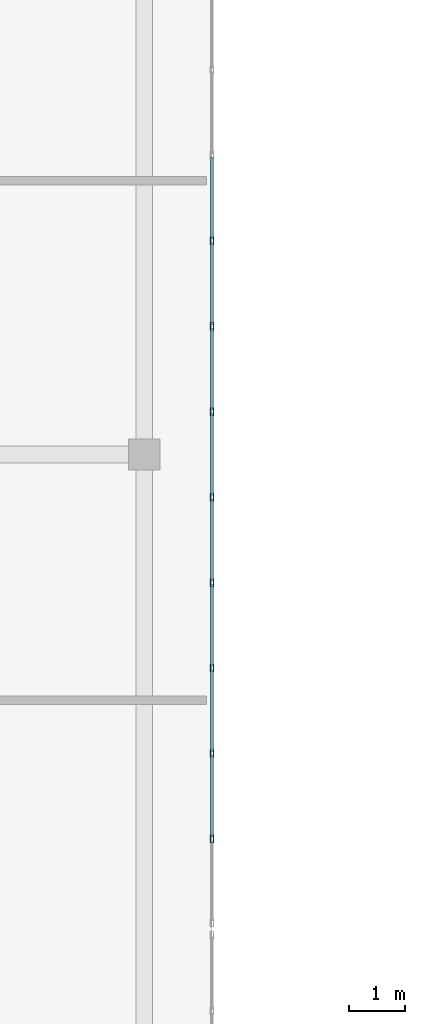
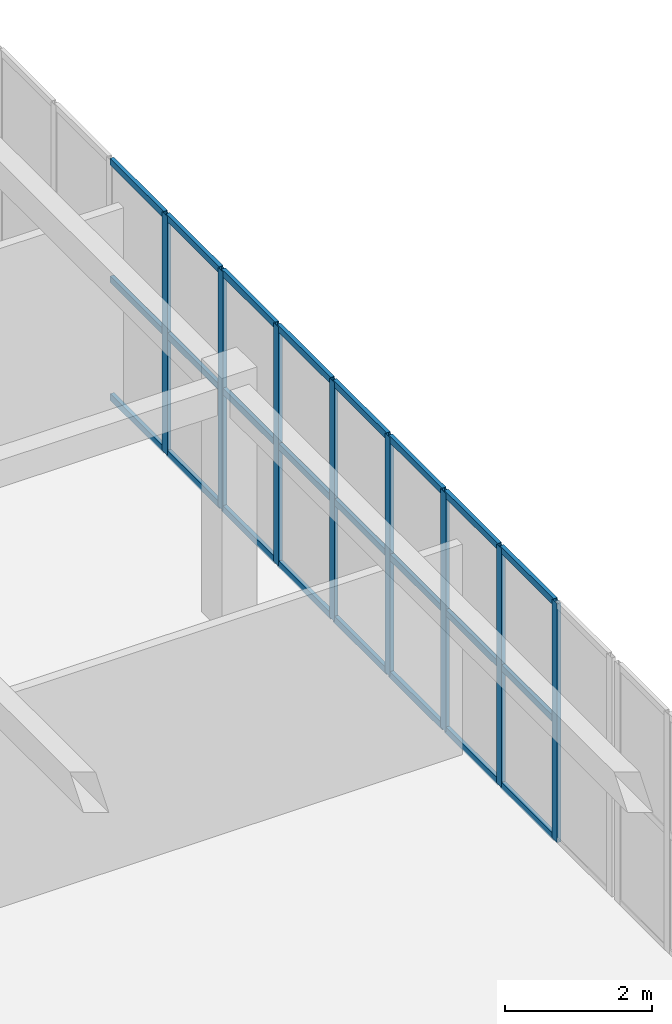
# One storey, part 46 of 140: 32 members, 1 element without a shape of its own.
"""IFC4 building model written with IfcOpenShell, lengths in metres."""

from ifc_helpers import new_model, si_unit, direction, frame, origin, origin_2d, place, context, subcontext, project, spatial, hollow_rectangle, extrude, material, layer, layer_set, material_profile, profile_set, type_object, element, aggregate, save


model = new_model("IFC4")

# Units and contexts
model_context = context("Model", 3, precision=1e-05, world=origin(), true_north=direction((0.0, 1.0)))
body_context = subcontext(model_context, "Body", "Model", "MODEL_VIEW")
ifc_project = project(units=[si_unit("LENGTHUNIT", "METRE"), si_unit("AREAUNIT", "SQUARE_METRE"), si_unit("VOLUMEUNIT", "CUBIC_METRE"), si_unit("PLANEANGLEUNIT", "RADIAN"), si_unit("MASSUNIT", "GRAM", prefix="KILO")], contexts=[model_context])

# Site, building, storey
site_placement = place(None, origin())
site = spatial("IfcSite", under=ifc_project, at=site_placement, CompositionType="ELEMENT")
building_placement = place(site_placement, origin())
building = spatial("IfcBuilding", under=site, at=building_placement, Name="Trelvath General Hospital", CompositionType="ELEMENT")
storey_placement = place(building_placement, frame((0.0, 0.0, 16.199951171875)))
storey = spatial("IfcBuildingStorey", under=building, at=storey_placement, Name="L04", CompositionType="ELEMENT", Elevation=16.199951171875)

# Curtain wall, members
ifc_material_1 = material(Name="Anodised aluminium and low-E glass", Category="aluminium")
ifc_layer = layer(ifc_material_1, 0.139892578125)
ifc_layer_set = layer_set([ifc_layer], Name="Anodised aluminium and low-E glass")
curtain_wall_type = type_object("IfcCurtainWallType", Name="CW CrystalCube 1664 396 14", PredefinedType="USERDEFINED", material=ifc_layer_set)
curtain_wall_placement = place(storey_placement, origin())
curtain_wall = element("IfcCurtainWall", 1, at=curtain_wall_placement, inside=storey, type_object=curtain_wall_type, Name="Crystal Cube Curtain Wall CUBE-E-T1 E3 L04", ObjectType="Unitised Glazed Curtain Wall", PredefinedType="USERDEFINED")
ifc_material_2 = material(Name="Anodised aluminium", Category="aluminium")
ifc_material_profile_1 = material_profile(ifc_material_2, hollow_rectangle(XDim=0.06005859375, YDim=0.139892578125, WallThickness=0.00390625, at=origin_2d()), Name="RHS60x140x4")
ifc_profile_set_1 = profile_set([ifc_material_profile_1], Name="Anodised aluminium")
member_type_1 = type_object("IfcMemberType", Name="CurtainMullion 60x140", PredefinedType="MULLION", material=ifc_profile_set_1)
member_1_placement = place(storey_placement, frame((114.800048828125, 62.581787109375, 0.0), z_axis=(0.0, 0.0, 1.0), x_axis=(1.0, 0.0, 0.0)))
member_1 = element("IfcMember", 2, at=member_1_placement, type_object=member_type_1, Name="CW-291 mullion 4", PredefinedType="MULLION", context=body_context, shape_type="SweptSolid", body=[
    extrude(hollow_rectangle(XDim=0.06005859375, YDim=0.139892578125, WallThickness=0.00390625, at=origin_2d()), origin(), (0.0, 0.0, 1.0), 3.9599609375),
])
member_2_placement = place(storey_placement, frame((114.800048828125, 61.069091796875, 0.0), z_axis=(0.0, 0.0, 1.0), x_axis=(1.0, 0.0, 0.0)))
member_2 = element("IfcMember", 3, at=member_2_placement, type_object=member_type_1, Name="CW-291 mullion 5", PredefinedType="MULLION", context=body_context, shape_type="SweptSolid", body=[
    extrude(hollow_rectangle(XDim=0.06005859375, YDim=0.139892578125, WallThickness=0.00390625, at=origin_2d()), origin(), (0.0, 0.0, 1.0), 3.9599609375),
])
member_3_placement = place(storey_placement, frame((114.800048828125, 59.556396484375, 0.0), z_axis=(0.0, 0.0, 1.0), x_axis=(1.0, 0.0, 0.0)))
member_3 = element("IfcMember", 4, at=member_3_placement, type_object=member_type_1, Name="CW-291 mullion 6", PredefinedType="MULLION", context=body_context, shape_type="SweptSolid", body=[
    extrude(hollow_rectangle(XDim=0.06005859375, YDim=0.139892578125, WallThickness=0.00390625, at=origin_2d()), origin(), (0.0, 0.0, 1.0), 3.9599609375),
])
member_4_placement = place(storey_placement, frame((114.800048828125, 58.043701171875, 0.0), z_axis=(0.0, 0.0, 1.0), x_axis=(1.0, 0.0, 0.0)))
member_4 = element("IfcMember", 5, at=member_4_placement, type_object=member_type_1, Name="CW-291 mullion 7", PredefinedType="MULLION", context=body_context, shape_type="SweptSolid", body=[
    extrude(hollow_rectangle(XDim=0.06005859375, YDim=0.139892578125, WallThickness=0.00390625, at=origin_2d()), origin(), (0.0, 0.0, 1.0), 3.9599609375),
])
member_5_placement = place(storey_placement, frame((114.800048828125, 56.531005859375, 0.0), z_axis=(0.0, 0.0, 1.0), x_axis=(1.0, 0.0, 0.0)))
member_5 = element("IfcMember", 6, at=member_5_placement, type_object=member_type_1, Name="CW-291 mullion 8", PredefinedType="MULLION", context=body_context, shape_type="SweptSolid", body=[
    extrude(hollow_rectangle(XDim=0.06005859375, YDim=0.139892578125, WallThickness=0.00390625, at=origin_2d()), origin(), (0.0, 0.0, 1.0), 3.9599609375),
])
member_6_placement = place(storey_placement, frame((114.800048828125, 55.01806640625, 0.0), z_axis=(0.0, 0.0, 1.0), x_axis=(1.0, 0.0, 0.0)))
member_6 = element("IfcMember", 7, at=member_6_placement, type_object=member_type_1, Name="CW-291 mullion 9", PredefinedType="MULLION", context=body_context, shape_type="SweptSolid", body=[
    extrude(hollow_rectangle(XDim=0.06005859375, YDim=0.139892578125, WallThickness=0.00390625, at=origin_2d()), origin(), (0.0, 0.0, 1.0), 3.9599609375),
])
member_7_placement = place(storey_placement, frame((114.800048828125, 53.50537109375, 0.0), z_axis=(0.0, 0.0, 1.0), x_axis=(1.0, 0.0, 0.0)))
member_7 = element("IfcMember", 8, at=member_7_placement, type_object=member_type_1, Name="CW-291 mullion 10", PredefinedType="MULLION", context=body_context, shape_type="SweptSolid", body=[
    extrude(hollow_rectangle(XDim=0.06005859375, YDim=0.139892578125, WallThickness=0.00390625, at=origin_2d()), origin(), (0.0, 0.0, 1.0), 3.9599609375),
])
member_8_placement = place(storey_placement, frame((114.800048828125, 51.99267578125, 0.0), z_axis=(0.0, 0.0, 1.0), x_axis=(1.0, 0.0, 0.0)))
member_8 = element("IfcMember", 9, at=member_8_placement, type_object=member_type_1, Name="CW-291 mullion 11", PredefinedType="MULLION", context=body_context, shape_type="SweptSolid", body=[
    extrude(hollow_rectangle(XDim=0.06005859375, YDim=0.139892578125, WallThickness=0.00390625, at=origin_2d()), origin(), (0.0, 0.0, 1.0), 3.9599609375),
])
ifc_material_3 = material(Name="Anodised aluminium", Category="aluminium")
ifc_material_profile_2 = material_profile(ifc_material_3, hollow_rectangle(XDim=0.06005859375, YDim=0.110107421875, WallThickness=0.00390625, at=origin_2d()), Name="RHS60x110x4")
ifc_profile_set_2 = profile_set([ifc_material_profile_2], Name="Anodised aluminium")
member_type_2 = type_object("IfcMemberType", Name="CurtainTransom 60x110", PredefinedType="USERDEFINED", material=ifc_profile_set_2)
member_9_placement = place(storey_placement, frame((114.800048828125, 64.064453125, 0.030029296875), z_axis=(0.0, -1.0, 0.0), x_axis=(1.0, 0.0, 0.0)))
member_9 = element("IfcMember", 10, at=member_9_placement, type_object=member_type_2, Name="CW-291 transom 3.1", ObjectType="TRANSOM", PredefinedType="USERDEFINED", context=body_context, shape_type="SweptSolid", body=[
    extrude(hollow_rectangle(XDim=0.06005859375, YDim=0.110107421875, WallThickness=0.00390625, at=origin_2d()), origin(), (0.0, 0.0, 1.0), 1.45263671875),
])
member_10_placement = place(storey_placement, frame((114.800048828125, 64.064453125, 1.97998046875), z_axis=(0.0, -1.0, 0.0), x_axis=(1.0, 0.0, 0.0)))
member_10 = element("IfcMember", 11, at=member_10_placement, type_object=member_type_2, Name="CW-291 transom 3.2", ObjectType="TRANSOM", PredefinedType="USERDEFINED", context=body_context, shape_type="SweptSolid", body=[
    extrude(hollow_rectangle(XDim=0.06005859375, YDim=0.110107421875, WallThickness=0.00390625, at=origin_2d()), origin(), (0.0, 0.0, 1.0), 1.45263671875),
])
member_11_placement = place(storey_placement, frame((114.800048828125, 64.064453125, 3.929931640625), z_axis=(0.0, -1.0, 0.0), x_axis=(1.0, 0.0, 0.0)))
member_11 = element("IfcMember", 12, at=member_11_placement, type_object=member_type_2, Name="CW-291 transom 3.3", ObjectType="TRANSOM", PredefinedType="USERDEFINED", context=body_context, shape_type="SweptSolid", body=[
    extrude(hollow_rectangle(XDim=0.06005859375, YDim=0.110107421875, WallThickness=0.00390625, at=origin_2d()), origin(), (0.0, 0.0, 1.0), 1.45263671875),
])
member_12_placement = place(storey_placement, frame((114.800048828125, 62.5517578125, 0.030029296875), z_axis=(0.0, -1.0, 0.0), x_axis=(1.0, 0.0, 0.0)))
member_12 = element("IfcMember", 13, at=member_12_placement, type_object=member_type_2, Name="CW-291 transom 4.1", ObjectType="TRANSOM", PredefinedType="USERDEFINED", context=body_context, shape_type="SweptSolid", body=[
    extrude(hollow_rectangle(XDim=0.06005859375, YDim=0.110107421875, WallThickness=0.00390625, at=origin_2d()), origin(), (0.0, 0.0, 1.0), 1.45263671875),
])
member_13_placement = place(storey_placement, frame((114.800048828125, 62.5517578125, 1.97998046875), z_axis=(0.0, -1.0, 0.0), x_axis=(1.0, 0.0, 0.0)))
member_13 = element("IfcMember", 14, at=member_13_placement, type_object=member_type_2, Name="CW-291 transom 4.2", ObjectType="TRANSOM", PredefinedType="USERDEFINED", context=body_context, shape_type="SweptSolid", body=[
    extrude(hollow_rectangle(XDim=0.06005859375, YDim=0.110107421875, WallThickness=0.00390625, at=origin_2d()), origin(), (0.0, 0.0, 1.0), 1.45263671875),
])
member_14_placement = place(storey_placement, frame((114.800048828125, 62.5517578125, 3.929931640625), z_axis=(0.0, -1.0, 0.0), x_axis=(1.0, 0.0, 0.0)))
member_14 = element("IfcMember", 15, at=member_14_placement, type_object=member_type_2, Name="CW-291 transom 4.3", ObjectType="TRANSOM", PredefinedType="USERDEFINED", context=body_context, shape_type="SweptSolid", body=[
    extrude(hollow_rectangle(XDim=0.06005859375, YDim=0.110107421875, WallThickness=0.00390625, at=origin_2d()), origin(), (0.0, 0.0, 1.0), 1.45263671875),
])
member_15_placement = place(storey_placement, frame((114.800048828125, 61.0390625, 0.030029296875), z_axis=(0.0, -1.0, 0.0), x_axis=(1.0, 0.0, 0.0)))
member_15 = element("IfcMember", 16, at=member_15_placement, type_object=member_type_2, Name="CW-291 transom 5.1", ObjectType="TRANSOM", PredefinedType="USERDEFINED", context=body_context, shape_type="SweptSolid", body=[
    extrude(hollow_rectangle(XDim=0.06005859375, YDim=0.110107421875, WallThickness=0.00390625, at=origin_2d()), origin(), (0.0, 0.0, 1.0), 1.45263671875),
])
member_16_placement = place(storey_placement, frame((114.800048828125, 61.0390625, 1.97998046875), z_axis=(0.0, -1.0, 0.0), x_axis=(1.0, 0.0, 0.0)))
member_16 = element("IfcMember", 17, at=member_16_placement, type_object=member_type_2, Name="CW-291 transom 5.2", ObjectType="TRANSOM", PredefinedType="USERDEFINED", context=body_context, shape_type="SweptSolid", body=[
    extrude(hollow_rectangle(XDim=0.06005859375, YDim=0.110107421875, WallThickness=0.00390625, at=origin_2d()), origin(), (0.0, 0.0, 1.0), 1.45263671875),
])
member_17_placement = place(storey_placement, frame((114.800048828125, 61.0390625, 3.929931640625), z_axis=(0.0, -1.0, 0.0), x_axis=(1.0, 0.0, 0.0)))
member_17 = element("IfcMember", 18, at=member_17_placement, type_object=member_type_2, Name="CW-291 transom 5.3", ObjectType="TRANSOM", PredefinedType="USERDEFINED", context=body_context, shape_type="SweptSolid", body=[
    extrude(hollow_rectangle(XDim=0.06005859375, YDim=0.110107421875, WallThickness=0.00390625, at=origin_2d()), origin(), (0.0, 0.0, 1.0), 1.45263671875),
])
member_18_placement = place(storey_placement, frame((114.800048828125, 59.5263671875, 0.030029296875), z_axis=(0.0, -1.0, 0.0), x_axis=(1.0, 0.0, 0.0)))
member_18 = element("IfcMember", 19, at=member_18_placement, type_object=member_type_2, Name="CW-291 transom 6.1", ObjectType="TRANSOM", PredefinedType="USERDEFINED", context=body_context, shape_type="SweptSolid", body=[
    extrude(hollow_rectangle(XDim=0.06005859375, YDim=0.110107421875, WallThickness=0.00390625, at=origin_2d()), origin(), (0.0, 0.0, 1.0), 1.45263671875),
])
member_19_placement = place(storey_placement, frame((114.800048828125, 59.5263671875, 1.97998046875), z_axis=(0.0, -1.0, 0.0), x_axis=(1.0, 0.0, 0.0)))
member_19 = element("IfcMember", 20, at=member_19_placement, type_object=member_type_2, Name="CW-291 transom 6.2", ObjectType="TRANSOM", PredefinedType="USERDEFINED", context=body_context, shape_type="SweptSolid", body=[
    extrude(hollow_rectangle(XDim=0.06005859375, YDim=0.110107421875, WallThickness=0.00390625, at=origin_2d()), origin(), (0.0, 0.0, 1.0), 1.45263671875),
])
member_20_placement = place(storey_placement, frame((114.800048828125, 59.5263671875, 3.929931640625), z_axis=(0.0, -1.0, 0.0), x_axis=(1.0, 0.0, 0.0)))
member_20 = element("IfcMember", 21, at=member_20_placement, type_object=member_type_2, Name="CW-291 transom 6.3", ObjectType="TRANSOM", PredefinedType="USERDEFINED", context=body_context, shape_type="SweptSolid", body=[
    extrude(hollow_rectangle(XDim=0.06005859375, YDim=0.110107421875, WallThickness=0.00390625, at=origin_2d()), origin(), (0.0, 0.0, 1.0), 1.45263671875),
])
member_21_placement = place(storey_placement, frame((114.800048828125, 58.013671875, 0.030029296875), z_axis=(0.0, -1.0, 0.0), x_axis=(1.0, 0.0, 0.0)))
member_21 = element("IfcMember", 22, at=member_21_placement, type_object=member_type_2, Name="CW-291 transom 7.1", ObjectType="TRANSOM", PredefinedType="USERDEFINED", context=body_context, shape_type="SweptSolid", body=[
    extrude(hollow_rectangle(XDim=0.06005859375, YDim=0.110107421875, WallThickness=0.00390625, at=origin_2d()), origin(), (0.0, 0.0, 1.0), 1.452880859375),
])
member_22_placement = place(storey_placement, frame((114.800048828125, 58.013671875, 1.97998046875), z_axis=(0.0, -1.0, 0.0), x_axis=(1.0, 0.0, 0.0)))
member_22 = element("IfcMember", 23, at=member_22_placement, type_object=member_type_2, Name="CW-291 transom 7.2", ObjectType="TRANSOM", PredefinedType="USERDEFINED", context=body_context, shape_type="SweptSolid", body=[
    extrude(hollow_rectangle(XDim=0.06005859375, YDim=0.110107421875, WallThickness=0.00390625, at=origin_2d()), origin(), (0.0, 0.0, 1.0), 1.452880859375),
])
member_23_placement = place(storey_placement, frame((114.800048828125, 58.013671875, 3.929931640625), z_axis=(0.0, -1.0, 0.0), x_axis=(1.0, 0.0, 0.0)))
member_23 = element("IfcMember", 24, at=member_23_placement, type_object=member_type_2, Name="CW-291 transom 7.3", ObjectType="TRANSOM", PredefinedType="USERDEFINED", context=body_context, shape_type="SweptSolid", body=[
    extrude(hollow_rectangle(XDim=0.06005859375, YDim=0.110107421875, WallThickness=0.00390625, at=origin_2d()), origin(), (0.0, 0.0, 1.0), 1.452880859375),
])
member_24_placement = place(storey_placement, frame((114.800048828125, 56.5009765625, 0.030029296875), z_axis=(0.0, -1.0, 0.0), x_axis=(1.0, 0.0, 0.0)))
member_24 = element("IfcMember", 25, at=member_24_placement, type_object=member_type_2, Name="CW-291 transom 8.1", ObjectType="TRANSOM", PredefinedType="USERDEFINED", context=body_context, shape_type="SweptSolid", body=[
    extrude(hollow_rectangle(XDim=0.06005859375, YDim=0.110107421875, WallThickness=0.00390625, at=origin_2d()), origin(), (0.0, 0.0, 1.0), 1.452880859375),
])
member_25_placement = place(storey_placement, frame((114.800048828125, 56.5009765625, 1.97998046875), z_axis=(0.0, -1.0, 0.0), x_axis=(1.0, 0.0, 0.0)))
member_25 = element("IfcMember", 26, at=member_25_placement, type_object=member_type_2, Name="CW-291 transom 8.2", ObjectType="TRANSOM", PredefinedType="USERDEFINED", context=body_context, shape_type="SweptSolid", body=[
    extrude(hollow_rectangle(XDim=0.06005859375, YDim=0.110107421875, WallThickness=0.00390625, at=origin_2d()), origin(), (0.0, 0.0, 1.0), 1.452880859375),
])
member_26_placement = place(storey_placement, frame((114.800048828125, 56.5009765625, 3.929931640625), z_axis=(0.0, -1.0, 0.0), x_axis=(1.0, 0.0, 0.0)))
member_26 = element("IfcMember", 27, at=member_26_placement, type_object=member_type_2, Name="CW-291 transom 8.3", ObjectType="TRANSOM", PredefinedType="USERDEFINED", context=body_context, shape_type="SweptSolid", body=[
    extrude(hollow_rectangle(XDim=0.06005859375, YDim=0.110107421875, WallThickness=0.00390625, at=origin_2d()), origin(), (0.0, 0.0, 1.0), 1.452880859375),
])
member_27_placement = place(storey_placement, frame((114.800048828125, 54.98828125, 0.030029296875), z_axis=(0.0, -1.0, 0.0), x_axis=(1.0, 0.0, 0.0)))
member_27 = element("IfcMember", 28, at=member_27_placement, type_object=member_type_2, Name="CW-291 transom 9.1", ObjectType="TRANSOM", PredefinedType="USERDEFINED", context=body_context, shape_type="SweptSolid", body=[
    extrude(hollow_rectangle(XDim=0.06005859375, YDim=0.110107421875, WallThickness=0.00390625, at=origin_2d()), origin(), (0.0, 0.0, 1.0), 1.452880859375),
])
member_28_placement = place(storey_placement, frame((114.800048828125, 54.98828125, 1.97998046875), z_axis=(0.0, -1.0, 0.0), x_axis=(1.0, 0.0, 0.0)))
member_28 = element("IfcMember", 29, at=member_28_placement, type_object=member_type_2, Name="CW-291 transom 9.2", ObjectType="TRANSOM", PredefinedType="USERDEFINED", context=body_context, shape_type="SweptSolid", body=[
    extrude(hollow_rectangle(XDim=0.06005859375, YDim=0.110107421875, WallThickness=0.00390625, at=origin_2d()), origin(), (0.0, 0.0, 1.0), 1.452880859375),
])
member_29_placement = place(storey_placement, frame((114.800048828125, 54.98828125, 3.929931640625), z_axis=(0.0, -1.0, 0.0), x_axis=(1.0, 0.0, 0.0)))
member_29 = element("IfcMember", 30, at=member_29_placement, type_object=member_type_2, Name="CW-291 transom 9.3", ObjectType="TRANSOM", PredefinedType="USERDEFINED", context=body_context, shape_type="SweptSolid", body=[
    extrude(hollow_rectangle(XDim=0.06005859375, YDim=0.110107421875, WallThickness=0.00390625, at=origin_2d()), origin(), (0.0, 0.0, 1.0), 1.452880859375),
])
member_30_placement = place(storey_placement, frame((114.800048828125, 53.475341796875, 0.030029296875), z_axis=(0.0, -1.0, 0.0), x_axis=(1.0, 0.0, 0.0)))
member_30 = element("IfcMember", 31, at=member_30_placement, type_object=member_type_2, Name="CW-291 transom 10.1", ObjectType="TRANSOM", PredefinedType="USERDEFINED", context=body_context, shape_type="SweptSolid", body=[
    extrude(hollow_rectangle(XDim=0.06005859375, YDim=0.110107421875, WallThickness=0.00390625, at=origin_2d()), origin(), (0.0, 0.0, 1.0), 1.45263671875),
])
member_31_placement = place(storey_placement, frame((114.800048828125, 53.475341796875, 1.97998046875), z_axis=(0.0, -1.0, 0.0), x_axis=(1.0, 0.0, 0.0)))
member_31 = element("IfcMember", 32, at=member_31_placement, type_object=member_type_2, Name="CW-291 transom 10.2", ObjectType="TRANSOM", PredefinedType="USERDEFINED", context=body_context, shape_type="SweptSolid", body=[
    extrude(hollow_rectangle(XDim=0.06005859375, YDim=0.110107421875, WallThickness=0.00390625, at=origin_2d()), origin(), (0.0, 0.0, 1.0), 1.45263671875),
])
member_32_placement = place(storey_placement, frame((114.800048828125, 53.475341796875, 3.929931640625), z_axis=(0.0, -1.0, 0.0), x_axis=(1.0, 0.0, 0.0)))
member_32 = element("IfcMember", 33, at=member_32_placement, type_object=member_type_2, Name="CW-291 transom 10.3", ObjectType="TRANSOM", PredefinedType="USERDEFINED", context=body_context, shape_type="SweptSolid", body=[
    extrude(hollow_rectangle(XDim=0.06005859375, YDim=0.110107421875, WallThickness=0.00390625, at=origin_2d()), origin(), (0.0, 0.0, 1.0), 1.45263671875),
])
aggregate(curtain_wall, [member_1, member_2, member_3, member_4, member_5, member_6, member_7, member_8, member_9, member_10, member_11, member_12, member_13, member_14, member_15, member_16, member_17, member_18, member_19, member_20, member_21, member_22, member_23, member_24, member_25, member_26, member_27, member_28, member_29, member_30, member_31, member_32])

save(model, "model.ifc")
